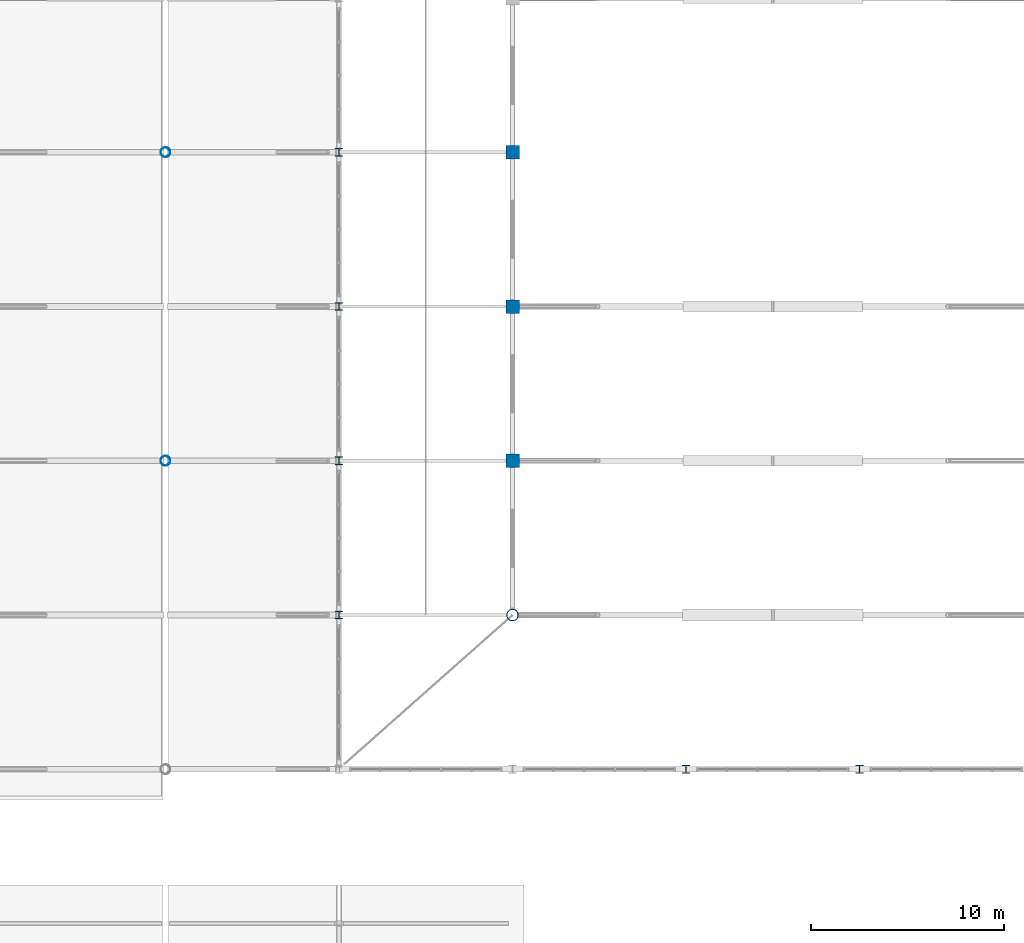
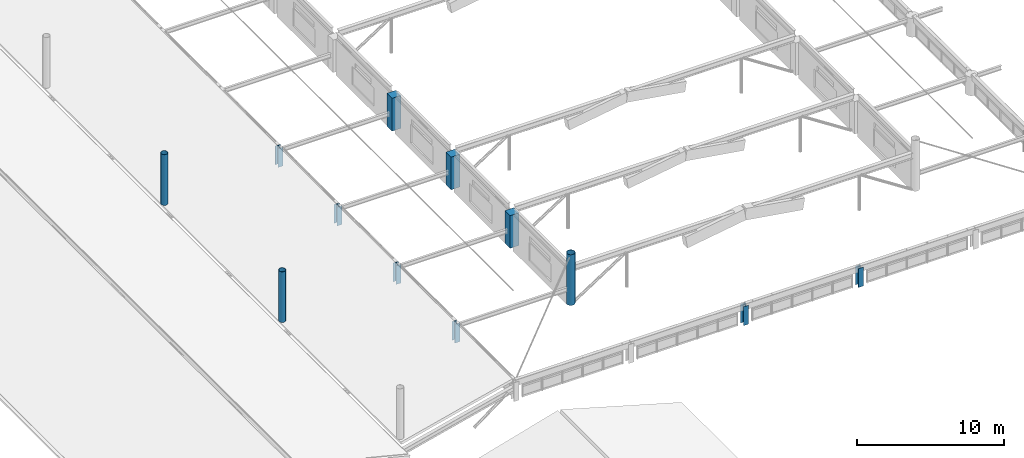
# One storey, part 2 of 128: 12 columns.
"""IFC4 building model written with IfcOpenShell, lengths in metres."""

from ifc_helpers import new_model, si_unit, derived_unit, direction, frame, origin, origin_2d, place, context, subcontext, project, spatial, rectangle, hollow_circle, i_section, extrude, material, material_profile, profile_set, type_object, element, save


model = new_model("IFC4")

# Units and contexts
model_context = context("Model", 3, precision=1e-05, world=origin(), true_north=direction((0.0, 1.0)))
body_context = subcontext(model_context, "Body", "Model", "MODEL_VIEW")
ifc_project = project(units=[si_unit("LENGTHUNIT", "METRE"), si_unit("AREAUNIT", "SQUARE_METRE"), si_unit("VOLUMEUNIT", "CUBIC_METRE"), si_unit("PLANEANGLEUNIT", "RADIAN"), si_unit("MASSUNIT", "GRAM", prefix="KILO"), derived_unit("THERMALTRANSMITTANCEUNIT", [(si_unit("MASSUNIT", "GRAM", prefix="KILO"), 1), (si_unit("TIMEUNIT", "SECOND"), -3), (si_unit("THERMODYNAMICTEMPERATUREUNIT", "KELVIN"), -1)])], contexts=[model_context])

# Site, building, storey
site_placement = place(None, origin())
site = spatial("IfcSite", under=ifc_project, at=site_placement, CompositionType="ELEMENT")
building_placement = place(site_placement, origin())
building = spatial("IfcBuilding", under=site, at=building_placement, Name="Zhenchuan Archway Interchange", CompositionType="ELEMENT")
storey_placement = place(building_placement, frame((0.0, 0.0, 14.39990234375)))
storey = spatial("IfcBuildingStorey", under=building, at=storey_placement, Name="L03", CompositionType="ELEMENT", Elevation=14.39990234375)

# Columns
ifc_material_1 = material(Name="Concrete C40", Category="concrete")
ifc_material_profile_1 = material_profile(ifc_material_1, rectangle(XDim=0.699951171875, YDim=0.699951171875, at=origin_2d()), Name="RC 700x700")
ifc_profile_set_1 = profile_set([ifc_material_profile_1], Name="Concrete C40")
column_type_1 = type_object("IfcColumnType", Name="COL_RC_700", PredefinedType="COLUMN", material=ifc_profile_set_1)
for number, where, z_axis, x_axis, name in (
    (1, (36.0, 40.0, 0.0), (0.0, 0.0, 1.0), (1.0, 0.0, 0.0), "Concourse clerestory arch pier 5/F (L03)"),
    (2, (36.0, 48.0, 0.0), (0.0, 0.0, 1.0), (1.0, 0.0, 0.0), "Concourse clerestory arch pier 5/G (L03)"),
):
    element("IfcColumn", number, at=place(storey_placement, frame(where, z_axis=z_axis, x_axis=x_axis)), inside=storey, type_object=column_type_1, Name=name, PredefinedType="COLUMN", context=body_context, shape_type="SweptSolid", body=[
        extrude(rectangle(XDim=0.699951171875, YDim=0.699951171875, at=origin_2d()), origin(), (0.0, 0.0, 1.0), 2.7001953125),
    ])
column_1_placement = place(storey_placement, frame((36.0, 56.0, 0.0), z_axis=(0.0, 0.0, 1.0), x_axis=(1.0, 0.0, 0.0)))
element("IfcColumn", 3, at=column_1_placement, inside=storey, type_object=column_type_1, Name="Concourse clerestory central pier W-H (L03)", PredefinedType="COLUMN", context=body_context, shape_type="SweptSolid", body=[
    extrude(rectangle(XDim=0.699951171875, YDim=0.699951171875, at=origin_2d()), origin(), (0.0, 0.0, 1.0), 2.72021484375),
])
ifc_material_2 = material(Name="Steel Q390", Category="steel")
ifc_material_profile_2 = material_profile(ifc_material_2, hollow_circle(Radius=0.25390625, WallThickness=0.01611328125, at=origin_2d()), Name="CHS 508x16")
ifc_profile_set_2 = profile_set([ifc_material_profile_2], Name="Steel Q390")
column_type_2 = type_object("IfcColumnType", Name="COL_STL_CHS508", PredefinedType="COLUMN", material=ifc_profile_set_2)
for number, where, z_axis, x_axis, name in (
    (4, (18.0, 40.0, 0.0), (0.0, 0.0, 1.0), (1.0, 0.0, 0.0), "Column 3/F (L03)"),
    (5, (18.0, 56.0, 0.0), (0.0, 0.0, 1.0), (1.0, 0.0, 0.0), "Column 3/H (L03)"),
):
    element("IfcColumn", number, at=place(storey_placement, frame(where, z_axis=z_axis, x_axis=x_axis)), inside=storey, type_object=column_type_2, Name=name, PredefinedType="COLUMN", context=body_context, shape_type="SweptSolid", body=[
        extrude(hollow_circle(Radius=0.25390625, WallThickness=0.01611328125, at=origin_2d()), origin(), (0.0, 0.0, 1.0), 4.2001953125),
    ])
ifc_material_profile_3 = material_profile(ifc_material_2, hollow_circle(Radius=0.304931640625, WallThickness=0.02001953125, at=origin_2d()), Name="CHS 610x20")
ifc_profile_set_3 = profile_set([ifc_material_profile_3], Name="Steel Q390")
column_type_3 = type_object("IfcColumnType", Name="COL_STL_CHS610", PredefinedType="COLUMN", material=ifc_profile_set_3)
column_2_placement = place(storey_placement, frame((36.0, 32.0, 0.0), z_axis=(0.0, 0.0, 1.0), x_axis=(1.0, 0.0, 0.0)))
element("IfcColumn", 6, at=column_2_placement, inside=storey, type_object=column_type_3, Name="Column 5/E (L03)", PredefinedType="COLUMN", context=body_context, shape_type="SweptSolid", body=[
    extrude(hollow_circle(Radius=0.304931640625, WallThickness=0.02001953125, at=origin_2d()), origin(), (0.0, 0.0, 1.0), 4.2001953125),
])
ifc_material_3 = material(Name="Steel Q355", Category="steel")
ifc_material_profile_4 = material_profile(ifc_material_3, i_section(OverallWidth=0.39990234375, OverallDepth=0.39990234375, WebThickness=0.012939453125, FlangeThickness=0.02099609375, FilletRadius=0.02197265625, at=origin_2d()), Name="HW 400x400")
ifc_profile_set_4 = profile_set([ifc_material_profile_4], Name="Steel Q355")
column_type_4 = type_object("IfcColumnType", Name="COL_STL_HW400", PredefinedType="COLUMN", material=ifc_profile_set_4)
for number, where, z_axis, x_axis, name in (
    (7, (27.0, 32.0, 0.0), (0.0, 0.0, 1.0), (1.0, 0.0, 0.0), "Column 4/E (L03)"),
    (8, (27.0, 40.0, 0.0), (0.0, 0.0, 1.0), (1.0, 0.0, 0.0), "Column 4/F (L03)"),
    (9, (27.0, 48.0, 0.0), (0.0, 0.0, 1.0), (1.0, 0.0, 0.0), "Column 4/G (L03)"),
    (10, (27.0, 56.0, 0.0), (0.0, 0.0, 1.0), (1.0, 0.0, 0.0), "Column 4/H (L03)"),
    (11, (45.0, 24.0, 0.0), (0.0, 0.0, 1.0), (1.0, 0.0, 0.0), "Column 6/D (L03)"),
    (12, (54.0, 24.0, 0.0), (0.0, 0.0, 1.0), (1.0, 0.0, 0.0), "Column 7/D (L03)"),
):
    element("IfcColumn", number, at=place(storey_placement, frame(where, z_axis=z_axis, x_axis=x_axis)), inside=storey, type_object=column_type_4, Name=name, PredefinedType="COLUMN", context=body_context, shape_type="SweptSolid", body=[
        extrude(i_section(OverallWidth=0.39990234375, OverallDepth=0.39990234375, WebThickness=0.012939453125, FlangeThickness=0.02099609375, FilletRadius=0.02197265625, at=origin_2d()), origin(), (0.0, 0.0, 1.0), 1.56005859375),
    ])

save(model, "model.ifc")
